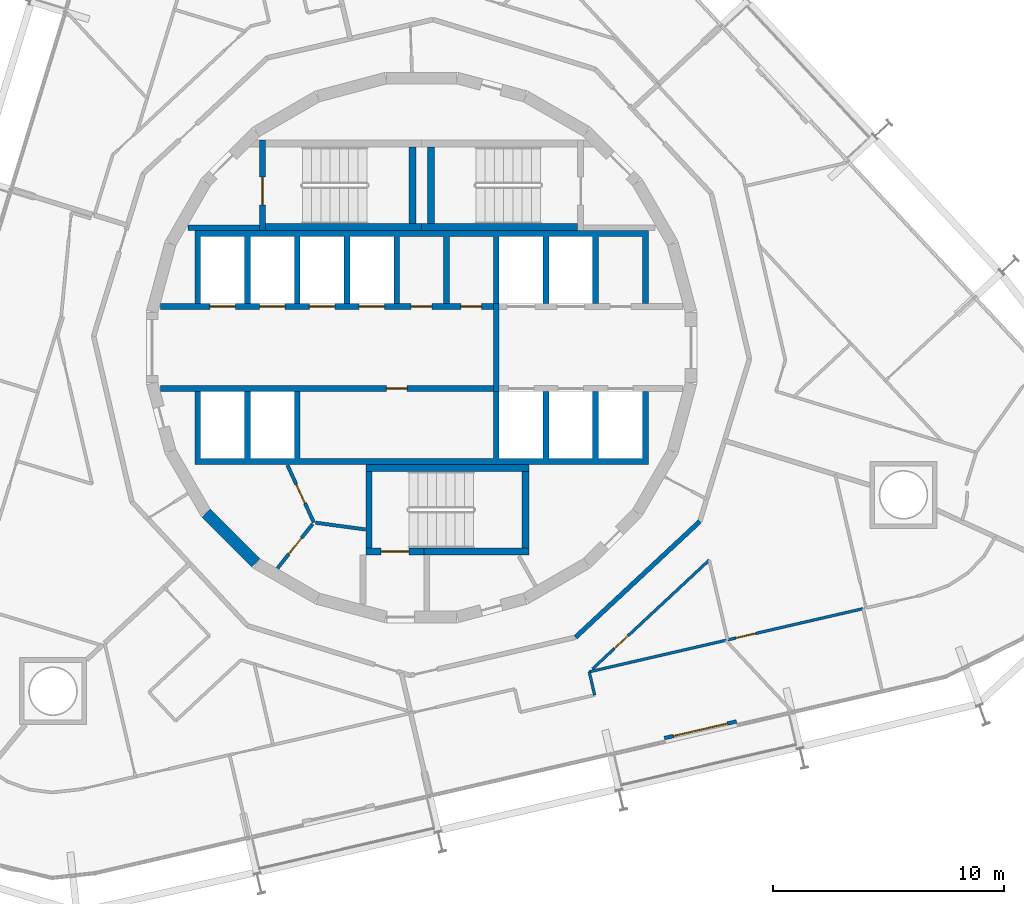
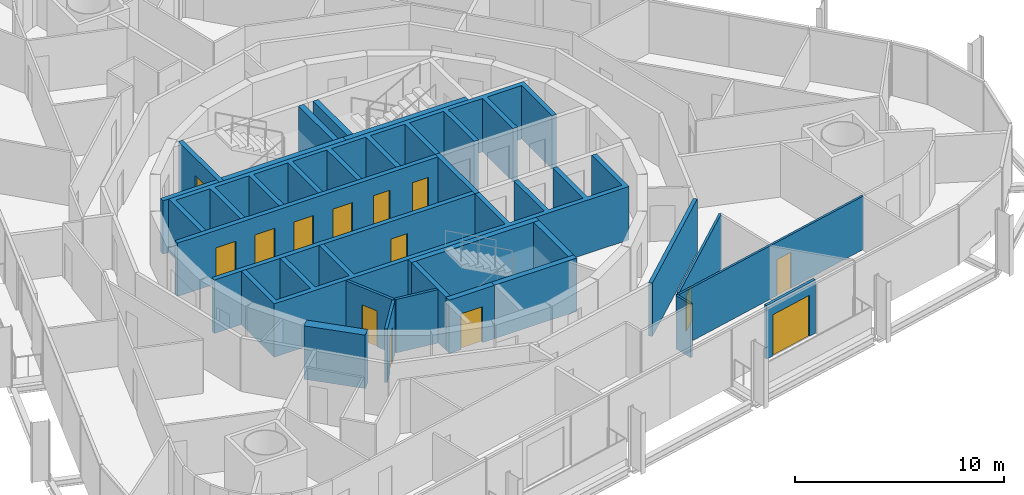
# One storey, part 13 of 18: 25 walls, 14 doors, 14 openings.
"""IFC4 building model written with IfcOpenShell, lengths in metres."""

from ifc_helpers import new_model, si_unit, direction, frame, frame_2d, origin, place, context, subcontext, project, spatial, polyline, rectangle, outline, extrude, material, layer, layer_set, type_object, element, fill, save


model = new_model("IFC4")

# Units and contexts
model_context = context("Model", 3, precision=1e-05, world=origin(), true_north=direction((0.0, 1.0)))
body_context = subcontext(model_context, "Body", "Model", "MODEL_VIEW")
ifc_project = project(units=[si_unit("LENGTHUNIT", "METRE"), si_unit("AREAUNIT", "SQUARE_METRE"), si_unit("VOLUMEUNIT", "CUBIC_METRE"), si_unit("PLANEANGLEUNIT", "RADIAN"), si_unit("MASSUNIT", "GRAM", prefix="KILO")], contexts=[model_context])

# Site, building, storey
site_placement = place(None, origin())
site = spatial("IfcSite", under=ifc_project, at=site_placement, CompositionType="ELEMENT")
building_placement = place(site_placement, origin())
building = spatial("IfcBuilding", under=site, at=building_placement, Name="Spindle Arch Residences", CompositionType="ELEMENT")
storey_placement = place(building_placement, frame((0.0, 0.0, 134.39990234375)))
storey = spatial("IfcBuildingStorey", under=building, at=storey_placement, Name="L33", CompositionType="ELEMENT", Elevation=134.39990234375)

# Walls
ifc_material_1 = material(Name="Concrete C50/60", Category="concrete")
ifc_layer_1 = layer(ifc_material_1, 0.5)
ifc_layer_set_1 = layer_set([ifc_layer_1], Name="Core outline wall 500")
wall_type_1 = type_object("IfcWallType", Name="Core outline wall 500", PredefinedType="SHEAR", material=ifc_layer_set_1)
wall_1_placement = place(storey_placement, frame((-9.30810546875, -7.163818359375, 0.0), z_axis=(0.0, 0.0, 1.0), x_axis=(0.707106781187, -0.707106781187, 0.0)))
element("IfcWall", 1, at=wall_1_placement, inside=storey, type_object=wall_type_1, Name="Core outline wall 21", PredefinedType="SHEAR", context=body_context, shape_type="SweptSolid", body=[
    extrude(rectangle(XDim=3.032470703125, YDim=0.5, at=frame_2d((1.51611328125, 0.0))), origin(), (0.0, 0.0, 1.0), 3.1201171875),
])
ifc_material_2 = material(Name="Calcium silicate block, plastered")
ifc_layer_2 = layer(ifc_material_2, 0.199951171875)
ifc_layer_set_2 = layer_set([ifc_layer_2], Name="Corridor wall 200")
wall_type_2 = type_object("IfcWallType", Name="Corridor wall 200", PredefinedType="STANDARD", material=ifc_layer_set_2)
wall_2_placement = place(storey_placement, frame((6.65869140625, -12.523193359375, 0.0), z_axis=(0.0, 0.0, 1.0), x_axis=(0.731350455479, 0.682001841105, 0.0)))
element("IfcWall", 2, at=wall_2_placement, inside=storey, type_object=wall_type_2, Name="Corridor wall R3C0-W015", PredefinedType="STANDARD", context=body_context, shape_type="SweptSolid", body=[
    extrude(rectangle(XDim=7.341796875, YDim=0.199951171875, at=frame_2d((3.6708984375, 0.0))), origin(), (0.0, 0.0, 1.0), 3.1201171875),
])
ifc_material_3 = material(Name="Concrete C40/50", Category="concrete")
ifc_layer_3 = layer(ifc_material_3, 0.25)
ifc_layer_set_3 = layer_set([ifc_layer_3], Name="Fire-lift lobby wall 250")
wall_type_3 = type_object("IfcWallType", Name="Fire-lift lobby wall 250", PredefinedType="SHEAR", material=ifc_layer_set_3)
wall_3_placement = place(storey_placement, frame((3.22509765625, -1.89990234375, 0.0), z_axis=(0.0, 0.0, 1.0), x_axis=(0.0, 1.0, 0.0)))
element("IfcWall", 3, at=wall_3_placement, inside=storey, type_object=wall_type_3, Name="Fire-fighting lobby partition", PredefinedType="SHEAR", context=body_context, shape_type="SweptSolid", body=[
    extrude(rectangle(XDim=3.7998046875, YDim=0.25, at=frame_2d((1.89990234375, 0.0))), origin(), (0.0, 0.0, 1.0), 3.1201171875),
])
ifc_material_4 = material(Name="Plasterboard on steel studs", Category="steel")
ifc_layer_4 = layer(ifc_material_4, 0.1201171875)
ifc_layer_set_4 = layer_set([ifc_layer_4], Name="Flat partition 120")
wall_type_4 = type_object("IfcWallType", Name="Flat partition 120", PredefinedType="PARTITIONING", material=ifc_layer_set_4)
wall_4_placement = place(storey_placement, frame((7.480712890625, -15.0224609375, 0.0), z_axis=(0.0, 0.0, 1.0), x_axis=(-0.225084689316, 0.974339203068, 0.0)))
element("IfcWall", 4, at=wall_4_placement, inside=storey, type_object=wall_type_4, Name="Flat partition R3C0-W104", PredefinedType="PARTITIONING", context=body_context, shape_type="SweptSolid", body=[
    extrude(rectangle(XDim=1.029296875, YDim=0.1201171875, at=frame_2d((0.5146484375, 0.0))), origin(), (0.0, 0.0, 1.0), 3.1201171875),
])

# Wall, opening, door
wall_5_placement = place(storey_placement, frame((7.3876953125, -13.894287109375, 0.0), z_axis=(0.0, 0.0, 1.0), x_axis=(0.731339966659, 0.682013088707, 0.0)))
wall_5 = element("IfcWall", 5, at=wall_5_placement, inside=storey, type_object=wall_type_4, Name="Flat partition R3C0-W105", PredefinedType="PARTITIONING", context=body_context, shape_type="SweptSolid", body=[
    extrude(rectangle(XDim=6.8994140625, YDim=0.1201171875, at=frame_2d((3.44970703125, 0.0))), origin(), (0.0, 0.0, 1.0), 3.1201171875),
])
opening_1_placement = place(wall_5_placement, frame((1.300048828125, 0.0, 0.0)))
opening_1 = element("IfcOpeningElement", 6, at=opening_1_placement, cuts=wall_5, Name="Opening R3C0-BD06", PredefinedType="OPENING", context=body_context, shape_type="SweptSolid", body=[
    extrude(rectangle(XDim=0.800048828125, YDim=2.10009765625, at=frame_2d((0.39990234375, 1.050048828125))), frame((0.0, 0.070068359375, 0.0), z_axis=(0.0, -1.0, 0.0), x_axis=(1.0, 0.0, 0.0)), (0.0, 0.0, 1.0), 0.14013671875),
])
ifc_material_5 = material(Name="Timber door set", Category="wood")
door_type_1 = type_object("IfcDoorType", Name="Bathroom door 800x2100", OperationType="NOTDEFINED", PredefinedType="DOOR", material=ifc_material_5)
door_1_placement = place(opening_1_placement, origin())
door_1 = element("IfcDoor", 7, at=door_1_placement, inside=storey, type_object=door_type_1, Name="Bathroom door R3C0-BD06", OperationType="SINGLE_SWING_RIGHT", OverallHeight=2.10009765625, OverallWidth=0.800048828125, PredefinedType="DOOR", context=body_context, shape_type="SweptSolid", body=[
    extrude(rectangle(XDim=0.800048828125, YDim=2.10009765625, at=frame_2d((0.39990234375, 1.050048828125))), frame((0.0, 0.02490234375, 0.0), z_axis=(0.0, -1.0, 0.0), x_axis=(1.0, 0.0, 0.0)), (0.0, 0.0, 1.0), 0.050048828125),
])
fill(opening_1, door_1)

wall_6_placement = place(storey_placement, frame((7.2490234375, -14.01953125, 0.0), z_axis=(0.0, 0.0, 1.0), x_axis=(0.974369514697, 0.224953437023, 0.0)))
wall_6 = element("IfcWall", 8, at=wall_6_placement, inside=storey, type_object=wall_type_4, Name="Flat partition R3C0-W107", PredefinedType="PARTITIONING", context=body_context, shape_type="SweptSolid", body=[
    extrude(rectangle(XDim=12.148681640625, YDim=0.1201171875, at=frame_2d((6.07421875, 0.0))), origin(), (0.0, 0.0, 1.0), 3.1201171875),
])
opening_2_placement = place(wall_6_placement, frame((6.498291015625, 0.0, 0.0)))
opening_2 = element("IfcOpeningElement", 9, at=opening_2_placement, cuts=wall_6, Name="Opening R3C0-ID28", PredefinedType="OPENING", context=body_context, shape_type="SweptSolid", body=[
    extrude(rectangle(XDim=0.89990234375, YDim=2.10009765625, at=frame_2d((0.449951171875, 1.050048828125))), frame((0.0, 0.070068359375, 0.0), z_axis=(0.0, -1.0, 0.0), x_axis=(1.0, 0.0, 0.0)), (0.0, 0.0, 1.0), 0.14013671875),
])
ifc_material_6 = material(Name="Timber door set", Category="wood")
door_type_2 = type_object("IfcDoorType", Name="Room door 900x2100", OperationType="NOTDEFINED", PredefinedType="DOOR", material=ifc_material_6)
door_2_placement = place(opening_2_placement, origin())
door_2 = element("IfcDoor", 10, at=door_2_placement, inside=storey, type_object=door_type_2, Name="Room door R3C0-ID28", OperationType="SINGLE_SWING_RIGHT", OverallHeight=2.10009765625, OverallWidth=0.89990234375, PredefinedType="DOOR", context=body_context, shape_type="SweptSolid", body=[
    extrude(rectangle(XDim=0.89990234375, YDim=2.10009765625, at=frame_2d((0.449951171875, 1.050048828125))), frame((0.0, 0.02490234375, 0.0), z_axis=(0.0, -1.0, 0.0), x_axis=(1.0, 0.0, 0.0)), (0.0, 0.0, 1.0), 0.050048828125),
])
fill(opening_2, door_2)

ifc_material_7 = material(Name="Non-combustible mineral wool insulated aluminium faced external wall (K0)", Category="aluminium")
ifc_layer_5 = layer(ifc_material_7, 0.159912109375)
ifc_layer_set_5 = layer_set([ifc_layer_5], Name="Insulated external wall panel 160")
wall_type_5 = type_object("IfcWallType", Name="Insulated external wall panel 160", PredefinedType="STANDARD", material=ifc_layer_set_5)
wall_7_placement = place(storey_placement, frame((10.495849609375, -16.882568359375, 0.0), z_axis=(0.0, 0.0, 1.0), x_axis=(0.974364187477, 0.224976510247, 0.0)))
wall_7 = element("IfcWall", 11, at=wall_7_placement, inside=storey, type_object=wall_type_5, Name="External wall L33 bay 1", PredefinedType="STANDARD", context=body_context, shape_type="SweptSolid", body=[
    extrude(rectangle(XDim=3.2001953125, YDim=0.159912109375, at=frame_2d((1.60009765625, 0.0))), origin(), (0.0, 0.0, 1.0), 3.1201171875),
])
opening_3_placement = place(wall_7_placement, frame((0.39990234375, 0.0, 0.0)))
opening_3 = element("IfcOpeningElement", 12, at=opening_3_placement, cuts=wall_7, Name="Opening BD01", PredefinedType="OPENING", context=body_context, shape_type="SweptSolid", body=[
    extrude(rectangle(XDim=2.39990234375, YDim=2.39990234375, at=frame_2d((1.199951171875, 1.199951171875))), frame((0.0, 0.08984375, 0.0), z_axis=(0.0, -1.0, 0.0), x_axis=(1.0, 0.0, 0.0)), (0.0, 0.0, 1.0), 0.179931640625),
])
ifc_material_8 = material(Name="Bronze aluminium frame, tinted double glazing", Category="aluminium")
door_type_3 = type_object("IfcDoorType", Name="Sliding glazed balcony door 2400x2400", OperationType="DOUBLE_DOOR_SLIDING", PredefinedType="DOOR", material=ifc_material_8)
door_3_placement = place(opening_3_placement, origin())
door_3 = element("IfcDoor", 13, at=door_3_placement, inside=storey, type_object=door_type_3, Name="Balcony door BD01", OperationType="DOUBLE_DOOR_SLIDING", OverallHeight=2.39990234375, OverallWidth=2.39990234375, PredefinedType="DOOR", context=body_context, shape_type="SweptSolid", body=[
    extrude(rectangle(XDim=2.39990234375, YDim=2.39990234375, at=frame_2d((1.199951171875, 1.199951171875))), frame((0.0, 0.02490234375, 0.0), z_axis=(0.0, -1.0, 0.0), x_axis=(1.0, 0.0, 0.0)), (0.0, 0.0, 1.0), 0.050048828125),
])
fill(opening_3, door_3)

# Wall, openings, doors
ifc_material_9 = material(Name="Concrete C50/60", Category="concrete")
ifc_layer_6 = layer(ifc_material_9, 0.25)
ifc_layer_set_6 = layer_set([ifc_layer_6], Name="Lift shaft wall 250")
wall_type_6 = type_object("IfcWallType", Name="Lift shaft wall 250", PredefinedType="SHEAR", material=ifc_layer_set_6)
wall_8_placement = place(storey_placement, frame((-11.280029296875, 1.77490234375, 0.0), z_axis=(0.0, 0.0, 1.0), x_axis=(1.0, 0.0, 0.0)))
wall_8 = element("IfcWall", 14, at=wall_8_placement, inside=storey, type_object=wall_type_6, Name="Lift shaft front wall NW", PredefinedType="SHEAR", context=body_context, shape_type="SweptSolid", body=[
    extrude(rectangle(XDim=14.380126953125, YDim=0.25, at=frame_2d((7.18994140625, 0.0))), origin(), (0.0, 0.0, 1.0), 3.1201171875),
])
opening_4_placement = place(wall_8_placement, frame((2.1298828125, 0.0, 0.0)))
opening_4 = element("IfcOpeningElement", 15, at=opening_4_placement, cuts=wall_8, Name="Opening R3C0-LD01", PredefinedType="OPENING", context=body_context, shape_type="SweptSolid", body=[
    extrude(rectangle(XDim=1.10009765625, YDim=2.10009765625, at=frame_2d((0.550048828125, 1.050048828125))), frame((0.0, 0.135009765625, 0.0), z_axis=(0.0, -1.0, 0.0), x_axis=(1.0, 0.0, 0.0)), (0.0, 0.0, 1.0), 0.27001953125),
])
opening_5_placement = place(wall_8_placement, frame((4.280029296875, 0.0, 0.0)))
opening_5 = element("IfcOpeningElement", 16, at=opening_5_placement, cuts=wall_8, Name="Opening R3C0-LD02", PredefinedType="OPENING", context=body_context, shape_type="SweptSolid", body=[
    extrude(rectangle(XDim=1.10009765625, YDim=2.10009765625, at=frame_2d((0.550048828125, 1.050048828125))), frame((0.0, 0.135009765625, 0.0), z_axis=(0.0, -1.0, 0.0), x_axis=(1.0, 0.0, 0.0)), (0.0, 0.0, 1.0), 0.27001953125),
])
opening_6_placement = place(wall_8_placement, frame((6.429931640625, 0.0, 0.0)))
opening_6 = element("IfcOpeningElement", 17, at=opening_6_placement, cuts=wall_8, Name="Opening R3C0-LD03", PredefinedType="OPENING", context=body_context, shape_type="SweptSolid", body=[
    extrude(rectangle(XDim=1.10009765625, YDim=2.10009765625, at=frame_2d((0.550048828125, 1.050048828125))), frame((0.0, 0.135009765625, 0.0), z_axis=(0.0, -1.0, 0.0), x_axis=(1.0, 0.0, 0.0)), (0.0, 0.0, 1.0), 0.27001953125),
])
opening_7_placement = place(wall_8_placement, frame((8.580078125, 0.0, 0.0)))
opening_7 = element("IfcOpeningElement", 18, at=opening_7_placement, cuts=wall_8, Name="Opening R3C0-LD04", PredefinedType="OPENING", context=body_context, shape_type="SweptSolid", body=[
    extrude(rectangle(XDim=1.10009765625, YDim=2.10009765625, at=frame_2d((0.550048828125, 1.050048828125))), frame((0.0, 0.135009765625, 0.0), z_axis=(0.0, -1.0, 0.0), x_axis=(1.0, 0.0, 0.0)), (0.0, 0.0, 1.0), 0.27001953125),
])
opening_8_placement = place(wall_8_placement, frame((10.830078125, 0.0, 0.0)))
opening_8 = element("IfcOpeningElement", 19, at=opening_8_placement, cuts=wall_8, Name="Opening R3C0-WD01", PredefinedType="OPENING", context=body_context, shape_type="SweptSolid", body=[
    extrude(rectangle(XDim=0.89990234375, YDim=2.10009765625, at=frame_2d((0.449951171875, 1.050048828125))), frame((0.0, 0.135009765625, 0.0), z_axis=(0.0, -1.0, 0.0), x_axis=(1.0, 0.0, 0.0)), (0.0, 0.0, 1.0), 0.27001953125),
])
opening_9_placement = place(wall_8_placement, frame((12.97998046875, 0.0, 0.0)))
opening_9 = element("IfcOpeningElement", 20, at=opening_9_placement, cuts=wall_8, Name="Opening R3C0-WD02", PredefinedType="OPENING", context=body_context, shape_type="SweptSolid", body=[
    extrude(rectangle(XDim=0.89990234375, YDim=2.10009765625, at=frame_2d((0.449951171875, 1.050048828125))), frame((0.0, 0.135009765625, 0.0), z_axis=(0.0, -1.0, 0.0), x_axis=(1.0, 0.0, 0.0)), (0.0, 0.0, 1.0), 0.27001953125),
])
ifc_material_10 = material(Name="Steel, fire-resisting landing door", Category="steel")
door_type_4 = type_object("IfcDoorType", Name="Lift landing door 1100x2100", OperationType="DOUBLE_DOOR_SLIDING", PredefinedType="DOOR", material=ifc_material_10)
door_4_placement = place(opening_4_placement, origin())
door_4 = element("IfcDoor", 21, at=door_4_placement, inside=storey, type_object=door_type_4, Name="Lift landing door R3C0-LD01", OperationType="DOUBLE_DOOR_SLIDING", OverallHeight=2.10009765625, OverallWidth=1.10009765625, PredefinedType="DOOR", context=body_context, shape_type="SweptSolid", body=[
    extrude(rectangle(XDim=1.10009765625, YDim=2.10009765625, at=frame_2d((0.550048828125, 1.050048828125))), frame((0.0, 0.02490234375, 0.0), z_axis=(0.0, -1.0, 0.0), x_axis=(1.0, 0.0, 0.0)), (0.0, 0.0, 1.0), 0.050048828125),
])
fill(opening_4, door_4)
door_5_placement = place(opening_5_placement, origin())
door_5 = element("IfcDoor", 22, at=door_5_placement, inside=storey, type_object=door_type_4, Name="Lift landing door R3C0-LD02", OperationType="DOUBLE_DOOR_SLIDING", OverallHeight=2.10009765625, OverallWidth=1.10009765625, PredefinedType="DOOR", context=body_context, shape_type="SweptSolid", body=[
    extrude(rectangle(XDim=1.10009765625, YDim=2.10009765625, at=frame_2d((0.550048828125, 1.050048828125))), frame((0.0, 0.02490234375, 0.0), z_axis=(0.0, -1.0, 0.0), x_axis=(1.0, 0.0, 0.0)), (0.0, 0.0, 1.0), 0.050048828125),
])
fill(opening_5, door_5)
door_6_placement = place(opening_6_placement, origin())
door_6 = element("IfcDoor", 23, at=door_6_placement, inside=storey, type_object=door_type_4, Name="Lift landing door R3C0-LD03", OperationType="DOUBLE_DOOR_SLIDING", OverallHeight=2.10009765625, OverallWidth=1.10009765625, PredefinedType="DOOR", context=body_context, shape_type="SweptSolid", body=[
    extrude(rectangle(XDim=1.10009765625, YDim=2.10009765625, at=frame_2d((0.550048828125, 1.050048828125))), frame((0.0, 0.02490234375, 0.0), z_axis=(0.0, -1.0, 0.0), x_axis=(1.0, 0.0, 0.0)), (0.0, 0.0, 1.0), 0.050048828125),
])
fill(opening_6, door_6)
door_7_placement = place(opening_7_placement, origin())
door_7 = element("IfcDoor", 24, at=door_7_placement, inside=storey, type_object=door_type_4, Name="Lift landing door R3C0-LD04", OperationType="DOUBLE_DOOR_SLIDING", OverallHeight=2.10009765625, OverallWidth=1.10009765625, PredefinedType="DOOR", context=body_context, shape_type="SweptSolid", body=[
    extrude(rectangle(XDim=1.10009765625, YDim=2.10009765625, at=frame_2d((0.550048828125, 1.050048828125))), frame((0.0, 0.02490234375, 0.0), z_axis=(0.0, -1.0, 0.0), x_axis=(1.0, 0.0, 0.0)), (0.0, 0.0, 1.0), 0.050048828125),
])
fill(opening_7, door_7)
ifc_material_11 = material(Name="Steel, fire-resisting door", Category="steel")
door_type_5 = type_object("IfcDoorType", Name="Service room door 900x2100", OperationType="SINGLE_SWING_LEFT", PredefinedType="DOOR", material=ifc_material_11)
door_8_placement = place(opening_8_placement, origin())
door_8 = element("IfcDoor", 25, at=door_8_placement, inside=storey, type_object=door_type_5, Name="Service room door R3C0-WD01", OperationType="SINGLE_SWING_RIGHT", OverallHeight=2.10009765625, OverallWidth=0.89990234375, PredefinedType="DOOR", context=body_context, shape_type="SweptSolid", body=[
    extrude(rectangle(XDim=0.89990234375, YDim=2.10009765625, at=frame_2d((0.449951171875, 1.050048828125))), frame((0.0, 0.02490234375, 0.0), z_axis=(0.0, -1.0, 0.0), x_axis=(1.0, 0.0, 0.0)), (0.0, 0.0, 1.0), 0.050048828125),
])
fill(opening_8, door_8)
door_9_placement = place(opening_9_placement, origin())
door_9 = element("IfcDoor", 26, at=door_9_placement, inside=storey, type_object=door_type_5, Name="Service room door R3C0-WD02", OperationType="SINGLE_SWING_LEFT", OverallHeight=2.10009765625, OverallWidth=0.89990234375, PredefinedType="DOOR", context=body_context, shape_type="SweptSolid", body=[
    extrude(rectangle(XDim=0.89990234375, YDim=2.10009765625, at=frame_2d((0.449951171875, 1.050048828125))), frame((0.0, 0.02490234375, 0.0), z_axis=(0.0, -1.0, 0.0), x_axis=(1.0, 0.0, 0.0)), (0.0, 0.0, 1.0), 0.050048828125),
])
fill(opening_9, door_9)

# Wall, opening, door
wall_9_placement = place(storey_placement, frame((-11.280029296875, -1.77490234375, 0.0), z_axis=(0.0, 0.0, 1.0), x_axis=(1.0, 0.0, 0.0)))
wall_9 = element("IfcWall", 27, at=wall_9_placement, inside=storey, type_object=wall_type_6, Name="Lift shaft front wall SW", PredefinedType="SHEAR", context=body_context, shape_type="SweptSolid", body=[
    extrude(rectangle(XDim=14.380126953125, YDim=0.25, at=frame_2d((7.18994140625, 0.0))), origin(), (0.0, 0.0, 1.0), 3.1201171875),
])
opening_10_placement = place(wall_9_placement, frame((9.7548828125, 0.0, 0.0)))
opening_10 = element("IfcOpeningElement", 28, at=opening_10_placement, cuts=wall_9, Name="Opening R3C0-WD04", PredefinedType="OPENING", context=body_context, shape_type="SweptSolid", body=[
    extrude(rectangle(XDim=0.89990234375, YDim=2.10009765625, at=frame_2d((0.449951171875, 1.050048828125))), frame((0.0, 0.135009765625, 0.0), z_axis=(0.0, -1.0, 0.0), x_axis=(1.0, 0.0, 0.0)), (0.0, 0.0, 1.0), 0.27001953125),
])
door_10_placement = place(opening_10_placement, origin())
door_10 = element("IfcDoor", 29, at=door_10_placement, inside=storey, type_object=door_type_5, Name="Service room door R3C0-WD04", OperationType="SINGLE_SWING_LEFT", OverallHeight=2.10009765625, OverallWidth=0.89990234375, PredefinedType="DOOR", context=body_context, shape_type="SweptSolid", body=[
    extrude(rectangle(XDim=0.89990234375, YDim=2.10009765625, at=frame_2d((0.449951171875, 1.050048828125))), frame((0.0, 0.02490234375, 0.0), z_axis=(0.0, -1.0, 0.0), x_axis=(1.0, 0.0, 0.0)), (0.0, 0.0, 1.0), 0.050048828125),
])
fill(opening_10, door_10)

# Walls
ifc_material_12 = material(Name="Concrete C50/60", Category="concrete")
wall_type_7 = type_object("IfcWallType", Name="Lift shaft wall profile", PredefinedType="SHEAR", material=ifc_material_12)
wall_10_placement = place(storey_placement, origin())
element("IfcWall", 30, at=wall_10_placement, inside=storey, type_object=wall_type_7, Name="Lift shaft walls N", PredefinedType="SHEAR", context=body_context, shape_type="SweptSolid", body=[
    extrude(outline(polyline([(-9.550048828125, 4.800048828125), (-7.64990234375, 4.800048828125), (-7.64990234375, 1.89990234375), (-7.39990234375, 1.89990234375), (-7.39990234375, 4.800048828125), (-5.5, 4.800048828125), (-5.5, 1.89990234375), (-5.25, 1.89990234375), (-5.25, 4.800048828125), (-3.35009765625, 4.800048828125), (-3.35009765625, 1.89990234375), (-3.10009765625, 1.89990234375), (-3.10009765625, 4.800048828125), (-1.199951171875, 4.800048828125), (-1.199951171875, 1.89990234375), (-0.949951171875, 1.89990234375), (-0.949951171875, 4.800048828125), (0.949951171875, 4.800048828125), (0.949951171875, 1.89990234375), (1.199951171875, 1.89990234375), (1.199951171875, 4.800048828125), (3.10009765625, 4.800048828125), (3.10009765625, 1.89990234375), (3.35009765625, 1.89990234375), (3.35009765625, 4.800048828125), (5.25, 4.800048828125), (5.25, 1.89990234375), (5.5, 1.89990234375), (5.5, 4.800048828125), (7.39990234375, 4.800048828125), (7.39990234375, 1.89990234375), (7.64990234375, 1.89990234375), (7.64990234375, 4.800048828125), (9.550048828125, 4.800048828125), (9.550048828125, 1.89990234375), (9.800048828125, 1.89990234375), (9.800048828125, 4.800048828125), (9.800048828125, 5.050048828125), (-9.800048828125, 5.050048828125), (-9.800048828125, 4.800048828125), (-9.800048828125, 1.89990234375), (-9.550048828125, 1.89990234375), (-9.550048828125, 4.800048828125)])), origin(), (0.0, 0.0, 1.0), 3.1201171875),
])
wall_11_placement = place(storey_placement, origin())
element("IfcWall", 31, at=wall_11_placement, inside=storey, type_object=wall_type_7, Name="Lift shaft walls S", PredefinedType="SHEAR", context=body_context, shape_type="SweptSolid", body=[
    extrude(outline(polyline([(9.800048828125, -5.050048828125), (9.800048828125, -4.800048828125), (9.800048828125, -1.89990234375), (9.550048828125, -1.89990234375), (9.550048828125, -4.800048828125), (7.64990234375, -4.800048828125), (7.64990234375, -1.89990234375), (7.39990234375, -1.89990234375), (7.39990234375, -4.800048828125), (5.5, -4.800048828125), (5.5, -1.89990234375), (5.25, -1.89990234375), (5.25, -4.800048828125), (3.35009765625, -4.800048828125), (3.35009765625, -1.89990234375), (3.10009765625, -1.89990234375), (3.10009765625, -4.800048828125), (-5.25, -4.800048828125), (-5.25, -1.89990234375), (-5.5, -1.89990234375), (-5.5, -4.800048828125), (-7.39990234375, -4.800048828125), (-7.39990234375, -1.89990234375), (-7.64990234375, -1.89990234375), (-7.64990234375, -4.800048828125), (-9.550048828125, -4.800048828125), (-9.550048828125, -1.89990234375), (-9.800048828125, -1.89990234375), (-9.800048828125, -4.800048828125), (-9.800048828125, -5.050048828125), (9.800048828125, -5.050048828125)])), origin(), (0.0, 0.0, 1.0), 3.1201171875),
])

# Wall, opening, door
ifc_material_13 = material(Name="Concrete C25/30", Category="concrete")
ifc_layer_7 = layer(ifc_material_13, 0.14990234375)
ifc_layer_set_7 = layer_set([ifc_layer_7], Name="Service room partition 150")
wall_type_8 = type_object("IfcWallType", Name="Service room partition 150", PredefinedType="PARTITIONING", material=ifc_layer_set_7)
wall_12_placement = place(storey_placement, frame((-5.794921875, -5.086181640625, 0.0), z_axis=(0.0, 0.0, 1.0), x_axis=(0.417887867606, -0.908498613157, 0.0)))
wall_12 = element("IfcWall", 32, at=wall_12_placement, inside=storey, type_object=wall_type_8, Name="Core service room partition", PredefinedType="PARTITIONING", context=body_context, shape_type="SweptSolid", body=[
    extrude(rectangle(XDim=2.72607421875, YDim=0.14990234375, at=frame_2d((1.363037109375, 0.0))), origin(), (0.0, 0.0, 1.0), 3.1201171875),
])
opening_11_placement = place(wall_12_placement, frame((0.912841796875, 0.0, 0.0)))
opening_11 = element("IfcOpeningElement", 33, at=opening_11_placement, cuts=wall_12, Name="Opening R3C0-WD05", PredefinedType="OPENING", context=body_context, shape_type="SweptSolid", body=[
    extrude(rectangle(XDim=0.89990234375, YDim=2.10009765625, at=frame_2d((0.449951171875, 1.050048828125))), frame((0.0, 0.0849609375, 0.0), z_axis=(0.0, -1.0, 0.0), x_axis=(1.0, 0.0, 0.0)), (0.0, 0.0, 1.0), 0.169921875),
])
door_11_placement = place(opening_11_placement, origin())
door_11 = element("IfcDoor", 34, at=door_11_placement, inside=storey, type_object=door_type_5, Name="Service room door R3C0-WD05", OperationType="SINGLE_SWING_RIGHT", OverallHeight=2.10009765625, OverallWidth=0.89990234375, PredefinedType="DOOR", context=body_context, shape_type="SweptSolid", body=[
    extrude(rectangle(XDim=0.89990234375, YDim=2.10009765625, at=frame_2d((0.449951171875, 1.050048828125))), frame((0.0, 0.02490234375, 0.0), z_axis=(0.0, -1.0, 0.0), x_axis=(1.0, 0.0, 0.0)), (0.0, 0.0, 1.0), 0.050048828125),
])
fill(opening_11, door_11)

wall_13_placement = place(storey_placement, frame((-4.70556640625, -7.62548828125, 0.0), z_axis=(0.0, 0.0, 1.0), x_axis=(-0.621392599334, -0.783499353856, 0.0)))
wall_13 = element("IfcWall", 35, at=wall_13_placement, inside=storey, type_object=wall_type_8, Name="Core service room partition", PredefinedType="PARTITIONING", context=body_context, shape_type="SweptSolid", body=[
    extrude(rectangle(XDim=2.447265625, YDim=0.14990234375, at=frame_2d((1.2236328125, 0.0))), origin(), (0.0, 0.0, 1.0), 3.1201171875),
])
opening_12_placement = place(wall_13_placement, frame((0.773681640625, 0.0, 0.0)))
opening_12 = element("IfcOpeningElement", 36, at=opening_12_placement, cuts=wall_13, Name="Opening R3C0-WD06", PredefinedType="OPENING", context=body_context, shape_type="SweptSolid", body=[
    extrude(rectangle(XDim=0.89990234375, YDim=2.10009765625, at=frame_2d((0.449951171875, 1.050048828125))), frame((0.0, 0.0849609375, 0.0), z_axis=(0.0, -1.0, 0.0), x_axis=(1.0, 0.0, 0.0)), (0.0, 0.0, 1.0), 0.169921875),
])
door_12_placement = place(opening_12_placement, origin())
door_12 = element("IfcDoor", 37, at=door_12_placement, inside=storey, type_object=door_type_5, Name="Service room door R3C0-WD06", OperationType="SINGLE_SWING_LEFT", OverallHeight=2.10009765625, OverallWidth=0.89990234375, PredefinedType="DOOR", context=body_context, shape_type="SweptSolid", body=[
    extrude(rectangle(XDim=0.89990234375, YDim=2.10009765625, at=frame_2d((0.449951171875, 1.050048828125))), frame((0.0, 0.02490234375, 0.0), z_axis=(0.0, -1.0, 0.0), x_axis=(1.0, 0.0, 0.0)), (0.0, 0.0, 1.0), 0.050048828125),
])
fill(opening_12, door_12)

# Walls
wall_14_placement = place(storey_placement, frame((-2.419921875, -7.865234375, 0.0), z_axis=(0.0, 0.0, 1.0), x_axis=(-0.990972299108, 0.134066783362, 0.0)))
element("IfcWall", 38, at=wall_14_placement, inside=storey, type_object=wall_type_8, Name="Core service room partition", PredefinedType="PARTITIONING", context=body_context, shape_type="SweptSolid", body=[
    extrude(rectangle(XDim=2.176025390625, YDim=0.14990234375, at=frame_2d((1.087890625, 0.0))), origin(), (0.0, 0.0, 1.0), 3.1201171875),
])
ifc_material_14 = material(Name="Concrete C40/50", Category="concrete")
ifc_layer_8 = layer(ifc_material_14, 0.25)
ifc_layer_set_8 = layer_set([ifc_layer_8], Name="Stair airlock wall 250")
wall_type_9 = type_object("IfcWallType", Name="Stair airlock wall 250", PredefinedType="SHEAR", material=ifc_layer_set_8)
wall_15_placement = place(storey_placement, frame((-7.0, 5.175048828125, 0.0), z_axis=(0.0, 0.0, 1.0), x_axis=(-1.0, 0.0, 0.0)))
element("IfcWall", 39, at=wall_15_placement, inside=storey, type_object=wall_type_9, Name="Stair ST-2 airlock wall S", PredefinedType="SHEAR", context=body_context, shape_type="SweptSolid", body=[
    extrude(rectangle(XDim=3.10009765625, YDim=0.25, at=frame_2d((1.550048828125, 0.0))), origin(), (0.0, 0.0, 1.0), 3.1201171875),
])

# Wall, opening, door
ifc_material_15 = material(Name="Concrete C50/60", Category="concrete")
ifc_layer_9 = layer(ifc_material_15, 0.25)
ifc_layer_set_9 = layer_set([ifc_layer_9], Name="Stair enclosure wall 250")
wall_type_10 = type_object("IfcWallType", Name="Stair enclosure wall 250", PredefinedType="SHEAR", material=ifc_layer_set_9)
wall_16_placement = place(storey_placement, frame((-6.875, 8.969970703125, 0.0), z_axis=(0.0, 0.0, 1.0), x_axis=(0.0, -1.0, 0.0)))
wall_16 = element("IfcWall", 40, at=wall_16_placement, inside=storey, type_object=wall_type_10, Name="Stair ST-2 door wall", PredefinedType="SHEAR", context=body_context, shape_type="SweptSolid", body=[
    extrude(rectangle(XDim=3.919921875, YDim=0.25, at=frame_2d((1.9599609375, 0.0))), origin(), (0.0, 0.0, 1.0), 3.1201171875),
])
opening_13_placement = place(wall_16_placement, frame((1.610107421875, 0.0, 0.0)))
opening_13 = element("IfcOpeningElement", 41, at=opening_13_placement, cuts=wall_16, Name="Opening R3C0-SD02", PredefinedType="OPENING", context=body_context, shape_type="SweptSolid", body=[
    extrude(rectangle(XDim=1.199951171875, YDim=2.10009765625, at=frame_2d((0.60009765625, 1.050048828125))), frame((0.0, 0.135009765625, 0.0), z_axis=(0.0, -1.0, 0.0), x_axis=(1.0, 0.0, 0.0)), (0.0, 0.0, 1.0), 0.27001953125),
])
ifc_material_16 = material(Name="Steel, fire-resisting door", Category="steel")
door_type_6 = type_object("IfcDoorType", Name="Stair door 1200x2100", OperationType="SINGLE_SWING_RIGHT", PredefinedType="DOOR", material=ifc_material_16)
door_13_placement = place(opening_13_placement, origin())
door_13 = element("IfcDoor", 42, at=door_13_placement, inside=storey, type_object=door_type_6, Name="Stair door R3C0-SD02", OperationType="SINGLE_SWING_LEFT", OverallHeight=2.10009765625, OverallWidth=1.199951171875, PredefinedType="DOOR", context=body_context, shape_type="SweptSolid", body=[
    extrude(rectangle(XDim=1.199951171875, YDim=2.10009765625, at=frame_2d((0.60009765625, 1.050048828125))), frame((0.0, 0.02490234375, 0.0), z_axis=(0.0, -1.0, 0.0), x_axis=(1.0, 0.0, 0.0)), (0.0, 0.0, 1.0), 0.050048828125),
])
fill(opening_13, door_13)

# Walls
wall_17_placement = place(storey_placement, frame((-2.27490234375, -8.669921875, 0.0), z_axis=(0.0, 0.0, 1.0), x_axis=(0.0, 1.0, 0.0)))
element("IfcWall", 43, at=wall_17_placement, inside=storey, type_object=wall_type_10, Name="Stair ST-3 enclosure wall W", PredefinedType="SHEAR", context=body_context, shape_type="SweptSolid", body=[
    extrude(rectangle(XDim=3.31982421875, YDim=0.25, at=frame_2d((1.659912109375, 0.0))), origin(), (0.0, 0.0, 1.0), 3.1201171875),
])
ifc_material_17 = material(Name="Concrete C50/60", Category="concrete")
ifc_layer_10 = layer(ifc_material_17, 0.300048828125)
ifc_layer_set_10 = layer_set([ifc_layer_10], Name="Stair enclosure wall 300")
wall_type_11 = type_object("IfcWallType", Name="Stair enclosure wall 300", PredefinedType="SHEAR", material=ifc_layer_set_10)
wall_18_placement = place(storey_placement, frame((0.0, 5.199951171875, 0.0), z_axis=(0.0, 0.0, 1.0), x_axis=(1.0, 0.0, 0.0)))
element("IfcWall", 44, at=wall_18_placement, inside=storey, type_object=wall_type_11, Name="Stair ST-1 enclosure wall S", PredefinedType="SHEAR", context=body_context, shape_type="SweptSolid", body=[
    extrude(rectangle(XDim=6.75, YDim=0.300048828125, at=frame_2d((3.375, 0.0))), origin(), (0.0, 0.0, 1.0), 3.1201171875),
])
wall_19_placement = place(storey_placement, frame((0.39990234375, 5.35009765625, 0.0), z_axis=(0.0, 0.0, 1.0), x_axis=(0.0, 1.0, 0.0)))
element("IfcWall", 45, at=wall_19_placement, inside=storey, type_object=wall_type_11, Name="Stair ST-1 enclosure wall F", PredefinedType="SHEAR", context=body_context, shape_type="SweptSolid", body=[
    extrude(rectangle(XDim=3.31982421875, YDim=0.300048828125, at=frame_2d((1.659912109375, 0.0))), origin(), (0.0, 0.0, 1.0), 3.1201171875),
])
wall_20_placement = place(storey_placement, frame((-6.75, 5.199951171875, 0.0), z_axis=(0.0, 0.0, 1.0), x_axis=(1.0, 0.0, 0.0)))
element("IfcWall", 46, at=wall_20_placement, inside=storey, type_object=wall_type_11, Name="Stair ST-2 enclosure wall S", PredefinedType="SHEAR", context=body_context, shape_type="SweptSolid", body=[
    extrude(rectangle(XDim=6.75, YDim=0.300048828125, at=frame_2d((3.375, 0.0))), origin(), (0.0, 0.0, 1.0), 3.1201171875),
])
wall_21_placement = place(storey_placement, frame((-0.39990234375, 5.35009765625, 0.0), z_axis=(0.0, 0.0, 1.0), x_axis=(0.0, 1.0, 0.0)))
element("IfcWall", 47, at=wall_21_placement, inside=storey, type_object=wall_type_11, Name="Stair ST-2 enclosure wall F", PredefinedType="SHEAR", context=body_context, shape_type="SweptSolid", body=[
    extrude(rectangle(XDim=3.31982421875, YDim=0.300048828125, at=frame_2d((1.659912109375, 0.0))), origin(), (0.0, 0.0, 1.0), 3.1201171875),
])
wall_22_placement = place(storey_placement, frame((-2.39990234375, -5.199951171875, 0.0), z_axis=(0.0, 0.0, 1.0), x_axis=(1.0, 0.0, 0.0)))
element("IfcWall", 48, at=wall_22_placement, inside=storey, type_object=wall_type_11, Name="Stair ST-3 enclosure wall N", PredefinedType="SHEAR", context=body_context, shape_type="SweptSolid", body=[
    extrude(rectangle(XDim=7.0498046875, YDim=0.300048828125, at=frame_2d((3.52490234375, 0.0))), origin(), (0.0, 0.0, 1.0), 3.1201171875),
])
wall_23_placement = place(storey_placement, frame((4.5, -8.669921875, 0.0), z_axis=(0.0, 0.0, 1.0), x_axis=(0.0, 1.0, 0.0)))
element("IfcWall", 49, at=wall_23_placement, inside=storey, type_object=wall_type_11, Name="Stair ST-3 enclosure wall E", PredefinedType="SHEAR", context=body_context, shape_type="SweptSolid", body=[
    extrude(rectangle(XDim=3.31982421875, YDim=0.300048828125, at=frame_2d((1.659912109375, 0.0))), origin(), (0.0, 0.0, 1.0), 3.1201171875),
])
wall_24_placement = place(storey_placement, frame((0.10009765625, -8.820068359375, 0.0), z_axis=(0.0, 0.0, 1.0), x_axis=(1.0, 0.0, 0.0)))
element("IfcWall", 50, at=wall_24_placement, inside=storey, type_object=wall_type_11, Name="Stair ST-3 enclosure wall S", PredefinedType="SHEAR", context=body_context, shape_type="SweptSolid", body=[
    extrude(rectangle(XDim=4.5498046875, YDim=0.300048828125, at=frame_2d((2.27490234375, 0.0))), origin(), (0.0, 0.0, 1.0), 3.1201171875),
])

# Wall, opening, door
wall_25_placement = place(storey_placement, frame((-2.39990234375, -8.820068359375, 0.0), z_axis=(0.0, 0.0, 1.0), x_axis=(1.0, 0.0, 0.0)))
wall_25 = element("IfcWall", 51, at=wall_25_placement, inside=storey, type_object=wall_type_11, Name="Stair ST-3 door wall", PredefinedType="SHEAR", context=body_context, shape_type="SweptSolid", body=[
    extrude(rectangle(XDim=2.5, YDim=0.300048828125, at=frame_2d((1.25, 0.0))), origin(), (0.0, 0.0, 1.0), 3.1201171875),
])
opening_14_placement = place(wall_25_placement, frame((0.64990234375, 0.0, 0.0)))
opening_14 = element("IfcOpeningElement", 52, at=opening_14_placement, cuts=wall_25, Name="Opening R3C0-SD03", PredefinedType="OPENING", context=body_context, shape_type="SweptSolid", body=[
    extrude(rectangle(XDim=1.199951171875, YDim=2.10009765625, at=frame_2d((0.60009765625, 1.050048828125))), frame((0.0, 0.16015625, 0.0), z_axis=(0.0, -1.0, 0.0), x_axis=(1.0, 0.0, 0.0)), (0.0, 0.0, 1.0), 0.320068359375),
])
door_14_placement = place(opening_14_placement, origin())
door_14 = element("IfcDoor", 53, at=door_14_placement, inside=storey, type_object=door_type_6, Name="Stair door R3C0-SD03", OperationType="SINGLE_SWING_LEFT", OverallHeight=2.10009765625, OverallWidth=1.199951171875, PredefinedType="DOOR", context=body_context, shape_type="SweptSolid", body=[
    extrude(rectangle(XDim=1.199951171875, YDim=2.10009765625, at=frame_2d((0.60009765625, 1.050048828125))), frame((0.0, 0.02490234375, 0.0), z_axis=(0.0, -1.0, 0.0), x_axis=(1.0, 0.0, 0.0)), (0.0, 0.0, 1.0), 0.050048828125),
])
fill(opening_14, door_14)

save(model, "model.ifc")
